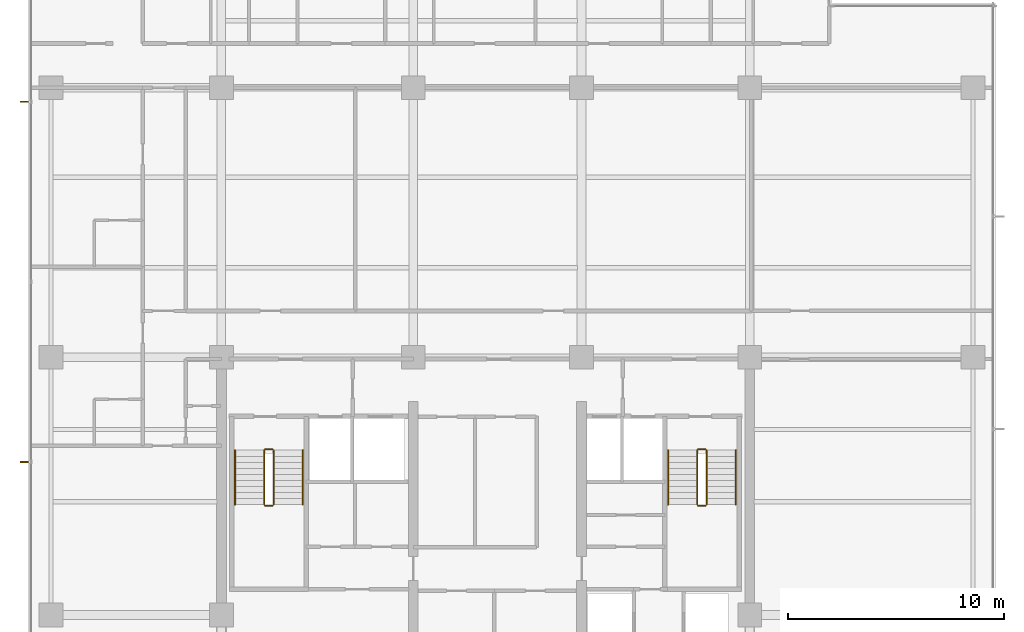
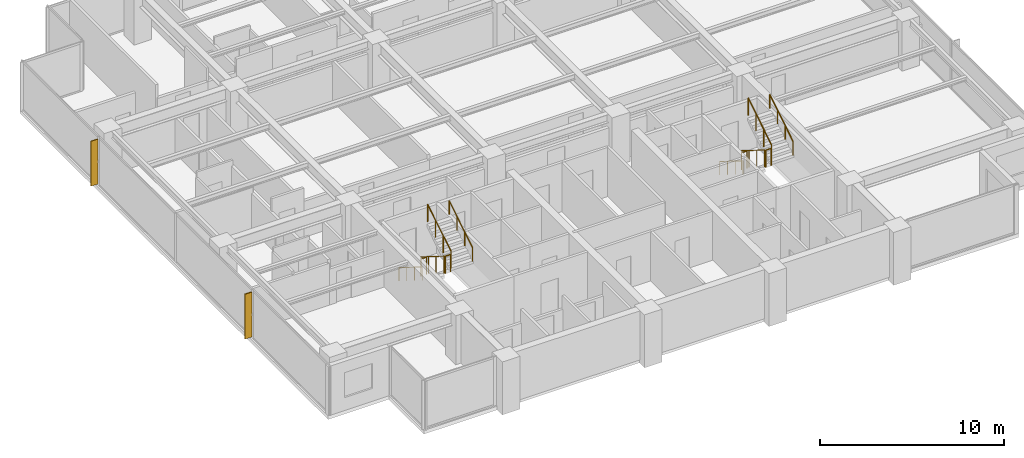
# One storey, part 14 of 15: 12 railings, 2 shading devices.
"""IFC4 building model written with IfcOpenShell, lengths in metres."""

from ifc_helpers import new_model, si_unit, direction, frame, origin, origin_2d, place, context, subcontext, project, spatial, polyline, circle, outline, extrude, material, layer, layer_set, type_object, element, save


model = new_model("IFC4")

# Units and contexts
model_context = context("Model", 3, precision=1e-05, world=origin(), true_north=direction((0.0, 1.0)))
body_context = subcontext(model_context, "Body", "Model", "MODEL_VIEW")
ifc_project = project(units=[si_unit("LENGTHUNIT", "METRE"), si_unit("AREAUNIT", "SQUARE_METRE"), si_unit("VOLUMEUNIT", "CUBIC_METRE"), si_unit("PLANEANGLEUNIT", "RADIAN"), si_unit("MASSUNIT", "GRAM", prefix="KILO")], contexts=[model_context])

# Site, building, storey
site_placement = place(None, origin())
site = spatial("IfcSite", under=ifc_project, at=site_placement, CompositionType="ELEMENT")
building_placement = place(site_placement, origin())
building = spatial("IfcBuilding", under=site, at=building_placement, Name="Qalmaran Belvedere Hotel", CompositionType="ELEMENT")
storey_placement = place(building_placement, frame((0.0, 0.0, 173.60009765625)))
storey = spatial("IfcBuildingStorey", under=building, at=storey_placement, Name="L44", CompositionType="ELEMENT", Elevation=173.60009765625)

# Shading devices
ifc_material_1 = material(Name="Anodised Bronze Aluminium", Category="aluminium")
ifc_layer = layer(ifc_material_1, 0.06494140625, Name="Anodised Bronze Aluminium")
ifc_layer_set = layer_set([ifc_layer], Name="Anodised Bronze Aluminium")
shading_device_type = type_object("IfcShadingDeviceType", Name="FIN-BRNZ-420", PredefinedType="USERDEFINED", material=ifc_layer_set)
shading_device_1_placement = place(storey_placement, frame((0.0, 0.0, 0.159912109375)))
element("IfcShadingDevice", 1, at=shading_device_1_placement, inside=storey, type_object=shading_device_type, Name="L44 Bronze Fin 1", ObjectType="FIN", PredefinedType="USERDEFINED", context=body_context, shape_type="SweptSolid", body=[
    extrude(outline(polyline([(11.3798828125, 32.382568359375), (10.9599609375, 32.382568359375), (10.9599609375, 32.3173828125), (11.3798828125, 32.3173828125), (11.3798828125, 32.382568359375)])), origin(), (0.0, 0.0, 1.0), 2.969970703125),
])
shading_device_2_placement = place(storey_placement, frame((0.0, 0.0, 0.159912109375)))
element("IfcShadingDevice", 2, at=shading_device_2_placement, inside=storey, type_object=shading_device_type, Name="L44 Bronze Fin 3", ObjectType="FIN", PredefinedType="USERDEFINED", context=body_context, shape_type="SweptSolid", body=[
    extrude(outline(polyline([(11.3798828125, 15.6826171875), (10.9599609375, 15.6826171875), (10.9599609375, 15.617431640625), (11.3798828125, 15.617431640625), (11.3798828125, 15.6826171875)])), origin(), (0.0, 0.0, 1.0), 2.969970703125),
])

# Railings
ifc_material_2 = material(Name="Stainless Steel 1.4401", Category="steel")
railing_type_1 = type_object("IfcRailingType", Name="RLG-STAIR-GUARD-1150", PredefinedType="GUARDRAIL", material=ifc_material_2)
railing_1_placement = place(storey_placement, frame((22.280029296875, 16.18994140625, 0.1748046875)))
element("IfcRailing", 3, at=railing_1_placement, inside=storey, type_object=railing_type_1, Name="L44 ST-1 stair guard 1", PredefinedType="GUARDRAIL", context=body_context, shape_type="SweptSolid", body=[
    extrude(circle(Radius=0.02392578125, at=origin_2d()), frame((0.0, 0.0, 1.1259765625), z_axis=(0.0, -0.847970611238, 0.530043245855), x_axis=(1.0, 0.0, 0.0)), (0.0, 0.0, 1.0), 2.971923828125),
    extrude(circle(Radius=0.02099609375, at=origin_2d()), origin(), (0.0, 0.0, 1.0), 1.101806640625),
    extrude(circle(Radius=0.02099609375, at=origin_2d()), frame((0.0, -0.840087890625, 0.525146484375)), (0.0, 0.0, 1.0), 1.101806640625),
    extrude(circle(Radius=0.02099609375, at=origin_2d()), frame((0.0, -1.679931640625, 1.050048828125)), (0.0, 0.0, 1.0), 1.101806640625),
    extrude(circle(Radius=0.02099609375, at=origin_2d()), frame((0.0, -2.52001953125, 1.5751953125)), (0.0, 0.0, 1.0), 1.101806640625),
])
railing_2_placement = place(storey_placement, frame((22.330078125, 13.6201171875, 1.75)))
element("IfcRailing", 4, at=railing_2_placement, inside=storey, type_object=railing_type_1, Name="L44 ST-1 stair guard 2", PredefinedType="GUARDRAIL", context=body_context, shape_type="SweptSolid", body=[
    extrude(circle(Radius=0.02392578125, at=origin_2d()), frame((0.0, 0.0, 1.1259765625), z_axis=(1.0, 0.0, 0.0), x_axis=(0.0, 1.0, 0.0)), (0.0, 0.0, 1.0), 0.33984375),
    extrude(circle(Radius=0.02099609375, at=origin_2d()), origin(), (0.0, 0.0, 1.0), 1.101806640625),
    extrude(circle(Radius=0.02099609375, at=origin_2d()), frame((0.33984375, 0.0, 0.0)), (0.0, 0.0, 1.0), 1.101806640625),
])
railing_3_placement = place(storey_placement, frame((22.719970703125, 13.669921875, 1.9248046875)))
element("IfcRailing", 5, at=railing_3_placement, inside=storey, type_object=railing_type_1, Name="L44 ST-1 stair guard 3", PredefinedType="GUARDRAIL", context=body_context, shape_type="SweptSolid", body=[
    extrude(circle(Radius=0.02392578125, at=origin_2d()), frame((0.0, 0.0, 1.1259765625), z_axis=(0.0, 0.847970611238, 0.530043245855), x_axis=(-1.0, 0.0, 0.0)), (0.0, 0.0, 1.0), 2.971923828125),
    extrude(circle(Radius=0.02099609375, at=origin_2d()), origin(), (0.0, 0.0, 1.0), 1.101806640625),
    extrude(circle(Radius=0.02099609375, at=origin_2d()), frame((0.0, 0.840087890625, 0.525146484375)), (0.0, 0.0, 1.0), 1.101806640625),
    extrude(circle(Radius=0.02099609375, at=origin_2d()), frame((0.0, 1.679931640625, 1.050048828125)), (0.0, 0.0, 1.0), 1.101806640625),
    extrude(circle(Radius=0.02099609375, at=origin_2d()), frame((0.0, 2.52001953125, 1.5751953125)), (0.0, 0.0, 1.0), 1.101806640625),
])
railing_4_placement = place(storey_placement, frame((22.330078125, 16.239990234375, 0.0)))
element("IfcRailing", 6, at=railing_4_placement, inside=storey, type_object=railing_type_1, Name="L44 ST-1 stair guard 4", PredefinedType="GUARDRAIL", context=body_context, shape_type="SweptSolid", body=[
    extrude(circle(Radius=0.02392578125, at=origin_2d()), frame((0.0, 0.0, 1.1259765625), z_axis=(1.0, 0.0, 0.0), x_axis=(0.0, 1.0, 0.0)), (0.0, 0.0, 1.0), 0.33984375),
    extrude(circle(Radius=0.02099609375, at=origin_2d()), origin(), (0.0, 0.0, 1.0), 1.101806640625),
    extrude(circle(Radius=0.02099609375, at=origin_2d()), frame((0.33984375, 0.0, 0.0)), (0.0, 0.0, 1.0), 1.101806640625),
])
railing_5_placement = place(storey_placement, frame((42.360107421875, 16.18994140625, 0.1748046875)))
element("IfcRailing", 7, at=railing_5_placement, inside=storey, type_object=railing_type_1, Name="L44 ST-2 stair guard 1", PredefinedType="GUARDRAIL", context=body_context, shape_type="SweptSolid", body=[
    extrude(circle(Radius=0.02392578125, at=origin_2d()), frame((0.0, 0.0, 1.1259765625), z_axis=(0.0, -0.847970611238, 0.530043245855), x_axis=(1.0, 0.0, 0.0)), (0.0, 0.0, 1.0), 2.971923828125),
    extrude(circle(Radius=0.02099609375, at=origin_2d()), origin(), (0.0, 0.0, 1.0), 1.101806640625),
    extrude(circle(Radius=0.02099609375, at=origin_2d()), frame((0.0, -0.840087890625, 0.525146484375)), (0.0, 0.0, 1.0), 1.101806640625),
    extrude(circle(Radius=0.02099609375, at=origin_2d()), frame((0.0, -1.679931640625, 1.050048828125)), (0.0, 0.0, 1.0), 1.101806640625),
    extrude(circle(Radius=0.02099609375, at=origin_2d()), frame((0.0, -2.52001953125, 1.5751953125)), (0.0, 0.0, 1.0), 1.101806640625),
])
railing_6_placement = place(storey_placement, frame((42.409912109375, 13.6201171875, 1.75)))
element("IfcRailing", 8, at=railing_6_placement, inside=storey, type_object=railing_type_1, Name="L44 ST-2 stair guard 2", PredefinedType="GUARDRAIL", context=body_context, shape_type="SweptSolid", body=[
    extrude(circle(Radius=0.02392578125, at=origin_2d()), frame((0.0, 0.0, 1.1259765625), z_axis=(1.0, 0.0, 0.0), x_axis=(0.0, 1.0, 0.0)), (0.0, 0.0, 1.0), 0.340087890625),
    extrude(circle(Radius=0.02099609375, at=origin_2d()), origin(), (0.0, 0.0, 1.0), 1.101806640625),
    extrude(circle(Radius=0.02099609375, at=origin_2d()), frame((0.340087890625, 0.0, 0.0)), (0.0, 0.0, 1.0), 1.101806640625),
])
railing_7_placement = place(storey_placement, frame((42.800048828125, 13.669921875, 1.9248046875)))
element("IfcRailing", 9, at=railing_7_placement, inside=storey, type_object=railing_type_1, Name="L44 ST-2 stair guard 3", PredefinedType="GUARDRAIL", context=body_context, shape_type="SweptSolid", body=[
    extrude(circle(Radius=0.02392578125, at=origin_2d()), frame((0.0, 0.0, 1.1259765625), z_axis=(0.0, 0.847970611238, 0.530043245855), x_axis=(-1.0, 0.0, 0.0)), (0.0, 0.0, 1.0), 2.971923828125),
    extrude(circle(Radius=0.02099609375, at=origin_2d()), origin(), (0.0, 0.0, 1.0), 1.101806640625),
    extrude(circle(Radius=0.02099609375, at=origin_2d()), frame((0.0, 0.840087890625, 0.525146484375)), (0.0, 0.0, 1.0), 1.101806640625),
    extrude(circle(Radius=0.02099609375, at=origin_2d()), frame((0.0, 1.679931640625, 1.050048828125)), (0.0, 0.0, 1.0), 1.101806640625),
    extrude(circle(Radius=0.02099609375, at=origin_2d()), frame((0.0, 2.52001953125, 1.5751953125)), (0.0, 0.0, 1.0), 1.101806640625),
])
railing_8_placement = place(storey_placement, frame((42.409912109375, 16.239990234375, 0.0)))
element("IfcRailing", 10, at=railing_8_placement, inside=storey, type_object=railing_type_1, Name="L44 ST-2 stair guard 4", PredefinedType="GUARDRAIL", context=body_context, shape_type="SweptSolid", body=[
    extrude(circle(Radius=0.02392578125, at=origin_2d()), frame((0.0, 0.0, 1.1259765625), z_axis=(1.0, 0.0, 0.0), x_axis=(0.0, 1.0, 0.0)), (0.0, 0.0, 1.0), 0.340087890625),
    extrude(circle(Radius=0.02099609375, at=origin_2d()), origin(), (0.0, 0.0, 1.0), 1.101806640625),
    extrude(circle(Radius=0.02099609375, at=origin_2d()), frame((0.340087890625, 0.0, 0.0)), (0.0, 0.0, 1.0), 1.101806640625),
])
railing_type_2 = type_object("IfcRailingType", Name="RLG-STAIR-HAND-910", PredefinedType="HANDRAIL", material=ifc_material_2)
railing_9_placement = place(storey_placement, frame((20.929931640625, 16.18994140625, 0.1748046875)))
element("IfcRailing", 11, at=railing_9_placement, inside=storey, type_object=railing_type_2, Name="L44 ST-1 stair handrail 1", PredefinedType="HANDRAIL", context=body_context, shape_type="SweptSolid", body=[
    extrude(circle(Radius=0.02392578125, at=origin_2d()), frame((0.0, 0.0, 0.8857421875), z_axis=(0.0, -0.847970611238, 0.530043245855), x_axis=(1.0, 0.0, 0.0)), (0.0, 0.0, 1.0), 2.971923828125),
    extrude(circle(Radius=0.02099609375, at=origin_2d()), origin(), (0.0, 0.0, 1.0), 0.86181640625),
    extrude(circle(Radius=0.02099609375, at=origin_2d()), frame((0.0, -0.840087890625, 0.525146484375)), (0.0, 0.0, 1.0), 0.86181640625),
    extrude(circle(Radius=0.02099609375, at=origin_2d()), frame((0.0, -1.679931640625, 1.050048828125)), (0.0, 0.0, 1.0), 0.86181640625),
    extrude(circle(Radius=0.02099609375, at=origin_2d()), frame((0.0, -2.52001953125, 1.5751953125)), (0.0, 0.0, 1.0), 0.86181640625),
])
railing_10_placement = place(storey_placement, frame((24.070068359375, 13.669921875, 1.9248046875)))
element("IfcRailing", 12, at=railing_10_placement, inside=storey, type_object=railing_type_2, Name="L44 ST-1 stair handrail 2", PredefinedType="HANDRAIL", context=body_context, shape_type="SweptSolid", body=[
    extrude(circle(Radius=0.02392578125, at=origin_2d()), frame((0.0, 0.0, 0.8857421875), z_axis=(0.0, 0.847970611238, 0.530043245855), x_axis=(-1.0, 0.0, 0.0)), (0.0, 0.0, 1.0), 2.971923828125),
    extrude(circle(Radius=0.02099609375, at=origin_2d()), origin(), (0.0, 0.0, 1.0), 0.86181640625),
    extrude(circle(Radius=0.02099609375, at=origin_2d()), frame((0.0, 0.840087890625, 0.525146484375)), (0.0, 0.0, 1.0), 0.86181640625),
    extrude(circle(Radius=0.02099609375, at=origin_2d()), frame((0.0, 1.679931640625, 1.050048828125)), (0.0, 0.0, 1.0), 0.86181640625),
    extrude(circle(Radius=0.02099609375, at=origin_2d()), frame((0.0, 2.52001953125, 1.5751953125)), (0.0, 0.0, 1.0), 0.86181640625),
])
railing_11_placement = place(storey_placement, frame((41.010009765625, 16.18994140625, 0.1748046875)))
element("IfcRailing", 13, at=railing_11_placement, inside=storey, type_object=railing_type_2, Name="L44 ST-2 stair handrail 1", PredefinedType="HANDRAIL", context=body_context, shape_type="SweptSolid", body=[
    extrude(circle(Radius=0.02392578125, at=origin_2d()), frame((0.0, 0.0, 0.8857421875), z_axis=(0.0, -0.847970611238, 0.530043245855), x_axis=(1.0, 0.0, 0.0)), (0.0, 0.0, 1.0), 2.971923828125),
    extrude(circle(Radius=0.02099609375, at=origin_2d()), origin(), (0.0, 0.0, 1.0), 0.86181640625),
    extrude(circle(Radius=0.02099609375, at=origin_2d()), frame((0.0, -0.840087890625, 0.525146484375)), (0.0, 0.0, 1.0), 0.86181640625),
    extrude(circle(Radius=0.02099609375, at=origin_2d()), frame((0.0, -1.679931640625, 1.050048828125)), (0.0, 0.0, 1.0), 0.86181640625),
    extrude(circle(Radius=0.02099609375, at=origin_2d()), frame((0.0, -2.52001953125, 1.5751953125)), (0.0, 0.0, 1.0), 0.86181640625),
])
railing_12_placement = place(storey_placement, frame((44.14990234375, 13.669921875, 1.9248046875)))
element("IfcRailing", 14, at=railing_12_placement, inside=storey, type_object=railing_type_2, Name="L44 ST-2 stair handrail 2", PredefinedType="HANDRAIL", context=body_context, shape_type="SweptSolid", body=[
    extrude(circle(Radius=0.02392578125, at=origin_2d()), frame((0.0, 0.0, 0.8857421875), z_axis=(0.0, 0.847970611238, 0.530043245855), x_axis=(-1.0, 0.0, 0.0)), (0.0, 0.0, 1.0), 2.971923828125),
    extrude(circle(Radius=0.02099609375, at=origin_2d()), origin(), (0.0, 0.0, 1.0), 0.86181640625),
    extrude(circle(Radius=0.02099609375, at=origin_2d()), frame((0.0, 0.840087890625, 0.525146484375)), (0.0, 0.0, 1.0), 0.86181640625),
    extrude(circle(Radius=0.02099609375, at=origin_2d()), frame((0.0, 1.679931640625, 1.050048828125)), (0.0, 0.0, 1.0), 0.86181640625),
    extrude(circle(Radius=0.02099609375, at=origin_2d()), frame((0.0, 2.52001953125, 1.5751953125)), (0.0, 0.0, 1.0), 0.86181640625),
])

save(model, "model.ifc")
